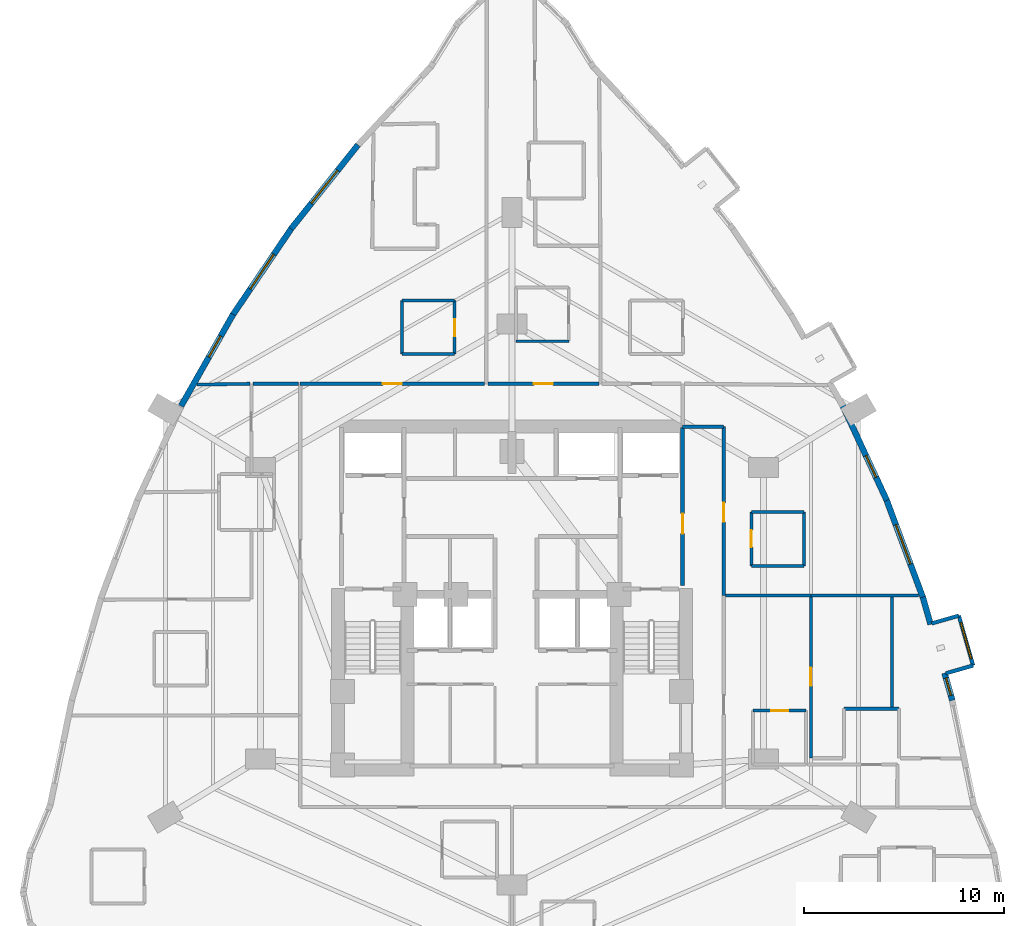
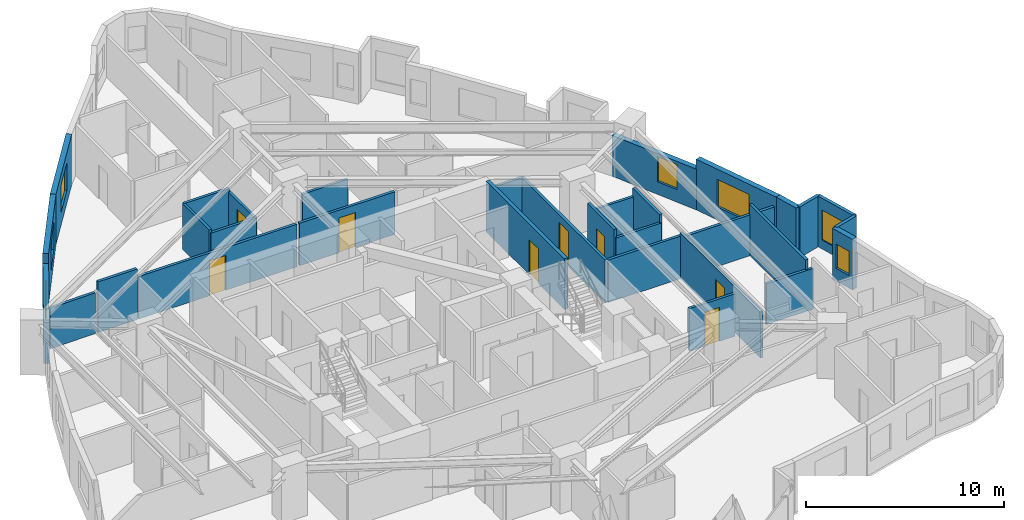
# One storey, part 10 of 13: 32 walls, 8 doors, 7 windows, 15 openings.
"""IFC4 building model written with IfcOpenShell, lengths in metres."""

from ifc_helpers import new_model, si_unit, direction, frame, frame_2d, origin, place, context, subcontext, project, spatial, rectangle, extrude, material, layer, layer_set, type_object, element, fill, save


model = new_model("IFC4")

# Units and contexts
model_context = context("Model", 3, precision=1e-05, world=origin(), true_north=direction((0.0, 1.0)))
body_context = subcontext(model_context, "Body", "Model", "MODEL_VIEW")
ifc_project = project(units=[si_unit("LENGTHUNIT", "METRE"), si_unit("AREAUNIT", "SQUARE_METRE"), si_unit("VOLUMEUNIT", "CUBIC_METRE"), si_unit("PLANEANGLEUNIT", "RADIAN"), si_unit("MASSUNIT", "GRAM", prefix="KILO")], contexts=[model_context])

# Site, building, storey
site_placement = place(None, origin())
site = spatial("IfcSite", under=ifc_project, at=site_placement, CompositionType="ELEMENT")
building_placement = place(site_placement, origin())
building = spatial("IfcBuilding", under=site, at=building_placement, Name="Miruveldt Soraemaru", CompositionType="ELEMENT")
storey_placement = place(building_placement, frame((0.0, 0.0, 59.800048828125)))
storey = spatial("IfcBuildingStorey", under=building, at=storey_placement, Name="L16", CompositionType="ELEMENT", Elevation=59.800048828125)

# Walls
ifc_material_1 = material(Name="White powder-coated aluminium EN AW-6060 T6", Category="aluminium")
ifc_layer_1 = layer(ifc_material_1, 0.18994140625, Name="White powder-coated aluminium EN AW-6060 T6", Category="aluminium")
ifc_layer_set_1 = layer_set([ifc_layer_1], Name="White powder-coated aluminium EN AW-6060 T6")
wall_type_1 = type_object("IfcWallType", Name="WALL-BAY-ALU190", PredefinedType="SOLIDWALL", material=ifc_layer_set_1)
wall_1_placement = place(storey_placement, frame((65.724365234375, 40.097900390625, 0.0), z_axis=(0.0, 0.0, 1.0), x_axis=(0.961452801096, 0.274970018845, 0.0)))
element("IfcWall", 1, at=wall_1_placement, inside=storey, type_object=wall_type_1, Name="L16 Bay Window Side Cheek 4L", PredefinedType="SOLIDWALL", context=body_context, shape_type="SweptSolid", body=[
    extrude(rectangle(XDim=1.425048828125, YDim=0.18994140625, at=frame_2d((0.71240234375, 0.0))), origin(), (0.0, 0.0, 1.0), 3.125),
])
wall_2_placement = place(storey_placement, frame((66.37939453125, 42.989501953125, 0.0), z_axis=(0.0, 0.0, 1.0), x_axis=(-0.961439844578, -0.275015318223, 0.0)))
element("IfcWall", 2, at=wall_2_placement, inside=storey, type_object=wall_type_1, Name="L16 Bay Window Side Cheek 4R", PredefinedType="SOLIDWALL", context=body_context, shape_type="SweptSolid", body=[
    extrude(rectangle(XDim=1.4248046875, YDim=0.18994140625, at=frame_2d((0.71240234375, 0.0))), origin(), (0.0, 0.0, 1.0), 3.125),
])

# Wall, opening, window
wall_3_placement = place(storey_placement, frame((67.094482421875, 40.48974609375, 0.0), z_axis=(0.0, 0.0, 1.0), x_axis=(-0.275031158597, 0.961435313373, 0.0)))
wall_3 = element("IfcWall", 3, at=wall_3_placement, inside=storey, type_object=wall_type_1, Name="L16 Bay Window Front Frame 4", PredefinedType="SOLIDWALL", context=body_context, shape_type="SweptSolid", body=[
    extrude(rectangle(XDim=2.60009765625, YDim=0.18994140625, at=frame_2d((1.300048828125, 0.0))), origin(), (0.0, 0.0, 1.0), 3.125),
])
opening_1_placement = place(wall_3_placement, frame((0.35009765625, 0.0, 0.550048828125)))
opening_1 = element("IfcOpeningElement", 4, at=opening_1_placement, cuts=wall_3, Name="Opening WN-6", PredefinedType="OPENING", context=body_context, shape_type="SweptSolid", body=[
    extrude(rectangle(XDim=1.89990234375, YDim=1.85009765625, at=frame_2d((0.949951171875, 0.925048828125))), frame((0.0, 0.10498046875, 0.0), z_axis=(0.0, -1.0, 0.0), x_axis=(1.0, 0.0, 0.0)), (0.0, 0.0, 1.0), 0.2099609375),
])
ifc_material_2 = material(Name="Triple low-e insulated glazing", Category="glass")
window_type_1 = type_object("IfcWindowType", Name="WIN-BAYW-1900x1850", PartitioningType="SINGLE_PANEL", PredefinedType="WINDOW", material=ifc_material_2)
window_1_placement = place(opening_1_placement, origin())
window_1 = element("IfcWindow", 5, at=window_1_placement, inside=storey, type_object=window_type_1, Name="L16 Projecting Bay Window 4", OverallHeight=1.85009765625, OverallWidth=1.89990234375, PartitioningType="SINGLE_PANEL", PredefinedType="WINDOW", context=body_context, shape_type="SweptSolid", body=[
    extrude(rectangle(XDim=1.89990234375, YDim=1.85009765625, at=frame_2d((0.949951171875, 0.925048828125))), frame((0.0, 0.030029296875, 0.0), z_axis=(0.0, -1.0, 0.0), x_axis=(1.0, 0.0, 0.0)), (0.0, 0.0, 1.0), 0.06005859375),
])
fill(opening_1, window_1)

ifc_material_3 = material(Name="Precast concrete C45/55 (45 MPa)", Category="concrete")
ifc_layer_2 = layer(ifc_material_3, 0.300048828125, Name="Precast concrete C45/55 (45 MPa)", Category="concrete")
ifc_layer_set_2 = layer_set([ifc_layer_2], Name="Precast concrete C45/55 (45 MPa)")
wall_type_2 = type_object("IfcWallType", Name="WALL-EXT-PC300", PredefinedType="SOLIDWALL", material=ifc_layer_set_2)
wall_4_placement = place(storey_placement, frame((36.285400390625, 66.563232421875, 0.0), z_axis=(0.0, 0.0, 1.0), x_axis=(-0.623631415275, -0.781718528553, 0.0)))
wall_4 = element("IfcWall", 6, at=wall_4_placement, inside=storey, type_object=wall_type_2, Name="L16 Precast Concrete Facade Wall 8", PredefinedType="SOLIDWALL", context=body_context, shape_type="SweptSolid", body=[
    extrude(rectangle(XDim=5.37744140625, YDim=0.300048828125, at=frame_2d((2.688720703125, 0.0))), origin(), (0.0, 0.0, 1.0), 3.125),
])
opening_2_placement = place(wall_4_placement, frame((1.637939453125, 0.0, 0.800048828125)))
opening_2 = element("IfcOpeningElement", 7, at=opening_2_placement, cuts=wall_4, Name="Opening WN-1", PredefinedType="OPENING", context=body_context, shape_type="SweptSolid", body=[
    extrude(rectangle(XDim=2.10009765625, YDim=1.699951171875, at=frame_2d((1.050048828125, 0.85009765625))), frame((0.0, 0.16015625, 0.0), z_axis=(0.0, -1.0, 0.0), x_axis=(1.0, 0.0, 0.0)), (0.0, 0.0, 1.0), 0.320068359375),
])
window_type_2 = type_object("IfcWindowType", Name="WIN-PUNCH-2100x1700", PartitioningType="SINGLE_PANEL", PredefinedType="WINDOW", material=ifc_material_2)
window_2_placement = place(opening_2_placement, origin())
window_2 = element("IfcWindow", 8, at=window_2_placement, inside=storey, type_object=window_type_2, Name="L16 Punched Triple-Glazed Window 08.1", OverallHeight=1.699951171875, OverallWidth=2.10009765625, PartitioningType="SINGLE_PANEL", PredefinedType="WINDOW", context=body_context, shape_type="SweptSolid", body=[
    extrude(rectangle(XDim=2.10009765625, YDim=1.699951171875, at=frame_2d((1.050048828125, 0.85009765625))), frame((0.0, 0.030029296875, 0.0), z_axis=(0.0, -1.0, 0.0), x_axis=(1.0, 0.0, 0.0)), (0.0, 0.0, 1.0), 0.06005859375),
])
fill(opening_2, window_2)

wall_5_placement = place(storey_placement, frame((32.973388671875, 62.416015625, 0.0), z_axis=(0.0, 0.0, 1.0), x_axis=(-0.560805458983, -0.827947605332, 0.0)))
wall_5 = element("IfcWall", 9, at=wall_5_placement, inside=storey, type_object=wall_type_2, Name="L16 Precast Concrete Facade Wall 9", PredefinedType="SOLIDWALL", context=body_context, shape_type="SweptSolid", body=[
    extrude(rectangle(XDim=5.3115234375, YDim=0.300048828125, at=frame_2d((2.65576171875, 0.0))), origin(), (0.0, 0.0, 1.0), 3.125),
])
opening_3_placement = place(wall_5_placement, frame((1.60595703125, 0.0, 0.800048828125)))
opening_3 = element("IfcOpeningElement", 10, at=opening_3_placement, cuts=wall_5, Name="Opening WN-1", PredefinedType="OPENING", context=body_context, shape_type="SweptSolid", body=[
    extrude(rectangle(XDim=2.10009765625, YDim=1.699951171875, at=frame_2d((1.050048828125, 0.85009765625))), frame((0.0, 0.16015625, 0.0), z_axis=(0.0, -1.0, 0.0), x_axis=(1.0, 0.0, 0.0)), (0.0, 0.0, 1.0), 0.320068359375),
])
window_3_placement = place(opening_3_placement, origin())
window_3 = element("IfcWindow", 11, at=window_3_placement, inside=storey, type_object=window_type_2, Name="L16 Punched Triple-Glazed Window 09.1", OverallHeight=1.699951171875, OverallWidth=2.10009765625, PartitioningType="SINGLE_PANEL", PredefinedType="WINDOW", context=body_context, shape_type="SweptSolid", body=[
    extrude(rectangle(XDim=2.10009765625, YDim=1.699951171875, at=frame_2d((1.050048828125, 0.85009765625))), frame((0.0, 0.030029296875, 0.0), z_axis=(0.0, -1.0, 0.0), x_axis=(1.0, 0.0, 0.0)), (0.0, 0.0, 1.0), 0.06005859375),
])
fill(opening_3, window_3)

wall_6_placement = place(storey_placement, frame((30.031494140625, 58.077880859375, 0.0), z_axis=(0.0, 0.0, 1.0), x_axis=(-0.493371966501, -0.869818430864, 0.0)))
wall_6 = element("IfcWall", 12, at=wall_6_placement, inside=storey, type_object=wall_type_2, Name="L16 Precast Concrete Facade Wall 10", PredefinedType="SOLIDWALL", context=body_context, shape_type="SweptSolid", body=[
    extrude(rectangle(XDim=5.278564453125, YDim=0.300048828125, at=frame_2d((2.63916015625, 0.0))), origin(), (0.0, 0.0, 1.0), 2.512939453125),
])
opening_4_placement = place(wall_6_placement, frame((1.256103515625, 0.0, 0.780029296875)))
opening_4 = element("IfcOpeningElement", 13, at=opening_4_placement, cuts=wall_6, Name="Opening WN-4", PredefinedType="OPENING", context=body_context, shape_type="SweptSolid", body=[
    extrude(rectangle(XDim=1.199951171875, YDim=1.550048828125, at=frame_2d((0.60009765625, 0.77490234375))), frame((0.0, 0.16015625, 0.0), z_axis=(0.0, -1.0, 0.0), x_axis=(1.0, 0.0, 0.0)), (0.0, 0.0, 1.0), 0.320068359375),
])
window_type_3 = type_object("IfcWindowType", Name="WIN-PUNCH-1200x1550", PartitioningType="SINGLE_PANEL", PredefinedType="WINDOW", material=ifc_material_2)
window_4_placement = place(opening_4_placement, origin())
window_4 = element("IfcWindow", 14, at=window_4_placement, inside=storey, type_object=window_type_3, Name="L16 Punched Triple-Glazed Window 10.1", OverallHeight=1.550048828125, OverallWidth=1.199951171875, PartitioningType="SINGLE_PANEL", PredefinedType="WINDOW", context=body_context, shape_type="SweptSolid", body=[
    extrude(rectangle(XDim=1.199951171875, YDim=1.550048828125, at=frame_2d((0.60009765625, 0.77490234375))), frame((0.0, 0.030029296875, 0.0), z_axis=(0.0, -1.0, 0.0), x_axis=(1.0, 0.0, 0.0)), (0.0, 0.0, 1.0), 0.06005859375),
])
fill(opening_4, window_4)

wall_7_placement = place(storey_placement, frame((66.05322265625, 38.74755859375, 0.0), z_axis=(0.0, 0.0, 1.0), x_axis=(-0.274834773231, 0.961491470281, 0.0)))
wall_7 = element("IfcWall", 15, at=wall_7_placement, inside=storey, type_object=wall_type_2, Name="L16 Precast Pier Wall 36A", PredefinedType="SOLIDWALL", context=body_context, shape_type="SweptSolid", body=[
    extrude(rectangle(XDim=1.418701171875, YDim=0.300048828125, at=frame_2d((0.70947265625, 0.0))), origin(), (0.0, 0.0, 1.0), 3.125),
])
opening_5_placement = place(wall_7_placement, frame((0.260009765625, 0.0, 0.780029296875)))
opening_5 = element("IfcOpeningElement", 16, at=opening_5_placement, cuts=wall_7, Name="Opening WN-7", PredefinedType="OPENING", context=body_context, shape_type="SweptSolid", body=[
    extrude(rectangle(XDim=0.89990234375, YDim=1.5, at=frame_2d((0.449951171875, 0.75))), frame((0.0, 0.16015625, 0.0), z_axis=(0.0, -1.0, 0.0), x_axis=(1.0, 0.0, 0.0)), (0.0, 0.0, 1.0), 0.320068359375),
])
window_type_4 = type_object("IfcWindowType", Name="WIN-PUNCH-900x1500", PartitioningType="SINGLE_PANEL", PredefinedType="WINDOW", material=ifc_material_2)
window_5_placement = place(opening_5_placement, origin())
window_5 = element("IfcWindow", 17, at=window_5_placement, inside=storey, type_object=window_type_4, Name="L16 Punched Triple-Glazed Window 36A.1", OverallHeight=1.5, OverallWidth=0.89990234375, PartitioningType="SINGLE_PANEL", PredefinedType="WINDOW", context=body_context, shape_type="SweptSolid", body=[
    extrude(rectangle(XDim=0.89990234375, YDim=1.5, at=frame_2d((0.449951171875, 0.75))), frame((0.0, 0.030029296875, 0.0), z_axis=(0.0, -1.0, 0.0), x_axis=(1.0, 0.0, 0.0)), (0.0, 0.0, 1.0), 0.06005859375),
])
fill(opening_5, window_5)

# Wall
wall_8_placement = place(storey_placement, frame((64.964599609375, 42.5537109375, 0.0), z_axis=(0.0, 0.0, 1.0), x_axis=(-0.274880256619, 0.961478468049, 0.0)))
element("IfcWall", 18, at=wall_8_placement, inside=storey, type_object=wall_type_2, Name="L16 Precast Pier Wall 36B", PredefinedType="SOLIDWALL", context=body_context, shape_type="SweptSolid", body=[
    extrude(rectangle(XDim=1.41845703125, YDim=0.300048828125, at=frame_2d((0.709228515625, 0.0))), origin(), (0.0, 0.0, 1.0), 3.125),
])

# Wall, opening, window
wall_9_placement = place(storey_placement, frame((64.596435546875, 43.85107421875, 0.0), z_axis=(0.0, 0.0, 1.0), x_axis=(-0.349006928215, 0.937120143876, 0.0)))
wall_9 = element("IfcWall", 19, at=wall_9_placement, inside=storey, type_object=wall_type_2, Name="L16 Precast Concrete Facade Wall 37", PredefinedType="SOLIDWALL", context=body_context, shape_type="SweptSolid", body=[
    extrude(rectangle(XDim=5.3115234375, YDim=0.300048828125, at=frame_2d((2.65576171875, 0.0))), origin(), (0.0, 0.0, 1.0), 3.125),
])
opening_6_placement = place(wall_9_placement, frame((1.8359375, 0.0, 0.800048828125)))
opening_6 = element("IfcOpeningElement", 20, at=opening_6_placement, cuts=wall_9, Name="Opening WN-1", PredefinedType="OPENING", context=body_context, shape_type="SweptSolid", body=[
    extrude(rectangle(XDim=2.10009765625, YDim=1.699951171875, at=frame_2d((1.050048828125, 0.85009765625))), frame((0.0, 0.16015625, 0.0), z_axis=(0.0, -1.0, 0.0), x_axis=(1.0, 0.0, 0.0)), (0.0, 0.0, 1.0), 0.320068359375),
])
window_6_placement = place(opening_6_placement, origin())
window_6 = element("IfcWindow", 21, at=window_6_placement, inside=storey, type_object=window_type_2, Name="L16 Punched Triple-Glazed Window 37.1", OverallHeight=1.699951171875, OverallWidth=2.10009765625, PartitioningType="SINGLE_PANEL", PredefinedType="WINDOW", context=body_context, shape_type="SweptSolid", body=[
    extrude(rectangle(XDim=2.10009765625, YDim=1.699951171875, at=frame_2d((1.050048828125, 0.85009765625))), frame((0.0, 0.030029296875, 0.0), z_axis=(0.0, -1.0, 0.0), x_axis=(1.0, 0.0, 0.0)), (0.0, 0.0, 1.0), 0.06005859375),
])
fill(opening_6, window_6)

wall_10_placement = place(storey_placement, frame((62.769775390625, 48.76416015625, 0.0), z_axis=(0.0, 0.0, 1.0), x_axis=(-0.422343511182, 0.906435854632, 0.0)))
wall_10 = element("IfcWall", 22, at=wall_10_placement, inside=storey, type_object=wall_type_2, Name="L16 Precast Concrete Facade Wall 38", PredefinedType="SOLIDWALL", context=body_context, shape_type="SweptSolid", body=[
    extrude(rectangle(XDim=5.2783203125, YDim=0.300048828125, at=frame_2d((2.63916015625, 0.0))), origin(), (0.0, 0.0, 1.0), 2.512939453125),
])
opening_7_placement = place(wall_10_placement, frame((1.27001953125, 0.0, 0.780029296875)))
opening_7 = element("IfcOpeningElement", 23, at=opening_7_placement, cuts=wall_10, Name="Opening WN-4", PredefinedType="OPENING", context=body_context, shape_type="SweptSolid", body=[
    extrude(rectangle(XDim=1.199951171875, YDim=1.550048828125, at=frame_2d((0.60009765625, 0.77490234375))), frame((0.0, 0.16015625, 0.0), z_axis=(0.0, -1.0, 0.0), x_axis=(1.0, 0.0, 0.0)), (0.0, 0.0, 1.0), 0.320068359375),
])
window_7_placement = place(opening_7_placement, origin())
window_7 = element("IfcWindow", 24, at=window_7_placement, inside=storey, type_object=window_type_3, Name="L16 Punched Triple-Glazed Window 38.1", OverallHeight=1.550048828125, OverallWidth=1.199951171875, PartitioningType="SINGLE_PANEL", PredefinedType="WINDOW", context=body_context, shape_type="SweptSolid", body=[
    extrude(rectangle(XDim=1.199951171875, YDim=1.550048828125, at=frame_2d((0.60009765625, 0.77490234375))), frame((0.0, 0.030029296875, 0.0), z_axis=(0.0, -1.0, 0.0), x_axis=(1.0, 0.0, 0.0)), (0.0, 0.0, 1.0), 0.06005859375),
])
fill(opening_7, window_7)

# Wall, opening, door
ifc_material_4 = material(Name="Gypsum plasterboard lining", Category="gypsum")
ifc_layer_3 = layer(ifc_material_4, 0.14990234375, Name="Gypsum plasterboard lining", Category="gypsum")
ifc_layer_set_3 = layer_set([ifc_layer_3], Name="Gypsum plasterboard lining")
wall_type_3 = type_object("IfcWallType", Name="WALL-INT-PLUMB", PredefinedType="PLUMBINGWALL", material=ifc_layer_set_3)
wall_11_placement = place(storey_placement, frame((41.1298828125, 56.080078125, 0.0), z_axis=(0.0, 0.0, 1.0), x_axis=(0.0, 1.0, 0.0)))
wall_11 = element("IfcWall", 25, at=wall_11_placement, inside=storey, type_object=wall_type_3, Name="L16 Partition Wall 12", PredefinedType="PLUMBINGWALL", context=body_context, shape_type="SweptSolid", body=[
    extrude(rectangle(XDim=2.699951171875, YDim=0.14990234375, at=frame_2d((1.35009765625, 0.0))), origin(), (0.0, 0.0, 1.0), 2.625),
])
opening_8_placement = place(wall_11_placement, frame((0.909912109375, 0.0, 0.0)))
opening_8 = element("IfcOpeningElement", 26, at=opening_8_placement, cuts=wall_11, Name="Opening FD3", PredefinedType="OPENING", context=body_context, shape_type="SweptSolid", body=[
    extrude(rectangle(XDim=0.85009765625, YDim=2.10009765625, at=frame_2d((0.425048828125, 1.050048828125))), frame((0.0, 0.0849609375, 0.0), z_axis=(0.0, -1.0, 0.0), x_axis=(1.0, 0.0, 0.0)), (0.0, 0.0, 1.0), 0.169921875),
])
ifc_material_5 = material(Name="Anodised aluminium EN AW-6063 T6", Category="aluminium")
door_type_1 = type_object("IfcDoorType", Name="DOOR-FD3-850", OperationType="NOTDEFINED", PredefinedType="DOOR", material=ifc_material_5)
door_1_placement = place(opening_8_placement, origin())
door_1 = element("IfcDoor", 27, at=door_1_placement, inside=storey, type_object=door_type_1, Name="L16 Unit 1602 BTH Door", OperationType="SINGLE_SWING_RIGHT", OverallHeight=2.10009765625, OverallWidth=0.85009765625, PredefinedType="DOOR", context=body_context, shape_type="SweptSolid", body=[
    extrude(rectangle(XDim=0.85009765625, YDim=2.10009765625, at=frame_2d((0.425048828125, 1.050048828125))), frame((0.0, 0.02490234375, 0.0), z_axis=(0.0, -1.0, 0.0), x_axis=(1.0, 0.0, 0.0)), (0.0, 0.0, 1.0), 0.050048828125),
])
fill(opening_8, door_1)

wall_12_placement = place(storey_placement, frame((55.98193359375, 48.179931640625, 0.0), z_axis=(0.0, 0.0, 1.0), x_axis=(0.0, -1.0, 0.0)))
wall_12 = element("IfcWall", 28, at=wall_12_placement, inside=storey, type_object=wall_type_3, Name="L16 Partition Wall 72", PredefinedType="PLUMBINGWALL", context=body_context, shape_type="SweptSolid", body=[
    extrude(rectangle(XDim=2.699951171875, YDim=0.14990234375, at=frame_2d((1.35009765625, 0.0))), origin(), (0.0, 0.0, 1.0), 3.125),
])
opening_9_placement = place(wall_12_placement, frame((0.909912109375, 0.0, 0.0)))
opening_9 = element("IfcOpeningElement", 29, at=opening_9_placement, cuts=wall_12, Name="Opening FD3", PredefinedType="OPENING", context=body_context, shape_type="SweptSolid", body=[
    extrude(rectangle(XDim=0.85009765625, YDim=2.10009765625, at=frame_2d((0.425048828125, 1.050048828125))), frame((0.0, 0.0849609375, 0.0), z_axis=(0.0, -1.0, 0.0), x_axis=(1.0, 0.0, 0.0)), (0.0, 0.0, 1.0), 0.169921875),
])
door_2_placement = place(opening_9_placement, origin())
door_2 = element("IfcDoor", 30, at=door_2_placement, inside=storey, type_object=door_type_1, Name="L16 Unit CL07 BTH Door", OperationType="SINGLE_SWING_LEFT", OverallHeight=2.10009765625, OverallWidth=0.85009765625, PredefinedType="DOOR", context=body_context, shape_type="SweptSolid", body=[
    extrude(rectangle(XDim=0.85009765625, YDim=2.10009765625, at=frame_2d((0.425048828125, 1.050048828125))), frame((0.0, 0.02490234375, 0.0), z_axis=(0.0, -1.0, 0.0), x_axis=(1.0, 0.0, 0.0)), (0.0, 0.0, 1.0), 0.050048828125),
])
fill(opening_9, door_2)

wall_13_placement = place(storey_placement, frame((58.72998046875, 38.22998046875, 0.0), z_axis=(0.0, 0.0, 1.0), x_axis=(-1.0, 0.0, 0.0)))
wall_13 = element("IfcWall", 31, at=wall_13_placement, inside=storey, type_object=wall_type_3, Name="L16 Partition Wall 59", PredefinedType="PLUMBINGWALL", context=body_context, shape_type="SweptSolid", body=[
    extrude(rectangle(XDim=2.64990234375, YDim=0.14990234375, at=frame_2d((1.324951171875, 0.0))), origin(), (0.0, 0.0, 1.0), 2.625),
])
opening_10_placement = place(wall_13_placement, frame((0.885009765625, 0.0, 0.0)))
opening_10 = element("IfcOpeningElement", 32, at=opening_10_placement, cuts=wall_13, Name="Opening FD3", PredefinedType="OPENING", context=body_context, shape_type="SweptSolid", body=[
    extrude(rectangle(XDim=0.85009765625, YDim=2.10009765625, at=frame_2d((0.425048828125, 1.050048828125))), frame((0.0, 0.0849609375, 0.0), z_axis=(0.0, -1.0, 0.0), x_axis=(1.0, 0.0, 0.0)), (0.0, 0.0, 1.0), 0.169921875),
])
door_3_placement = place(opening_10_placement, origin())
door_3 = element("IfcDoor", 33, at=door_3_placement, inside=storey, type_object=door_type_1, Name="L16 Unit 1606 BTH Door", OperationType="SINGLE_SWING_RIGHT", OverallHeight=2.10009765625, OverallWidth=0.85009765625, PredefinedType="DOOR", context=body_context, shape_type="SweptSolid", body=[
    extrude(rectangle(XDim=0.85009765625, YDim=2.10009765625, at=frame_2d((0.425048828125, 1.050048828125))), frame((0.0, 0.02490234375, 0.0), z_axis=(0.0, -1.0, 0.0), x_axis=(1.0, 0.0, 0.0)), (0.0, 0.0, 1.0), 0.050048828125),
])
fill(opening_10, door_3)

# Walls
wall_14_placement = place(storey_placement, frame((38.47998046875, 58.780029296875, 0.0), z_axis=(0.0, 0.0, 1.0), x_axis=(0.0, -1.0, 0.0)))
element("IfcWall", 34, at=wall_14_placement, inside=storey, type_object=wall_type_3, Name="L16 Partition Wall 14", PredefinedType="PLUMBINGWALL", context=body_context, shape_type="SweptSolid", body=[
    extrude(rectangle(XDim=2.699951171875, YDim=0.14990234375, at=frame_2d((1.35009765625, 0.0))), origin(), (0.0, 0.0, 1.0), 2.81298828125),
])
wall_15_placement = place(storey_placement, frame((58.632080078125, 45.47998046875, 0.0), z_axis=(0.0, 0.0, 1.0), x_axis=(0.0, 1.0, 0.0)))
element("IfcWall", 35, at=wall_15_placement, inside=storey, type_object=wall_type_3, Name="L16 Partition Wall 97", PredefinedType="PLUMBINGWALL", context=body_context, shape_type="SweptSolid", body=[
    extrude(rectangle(XDim=2.699951171875, YDim=0.14990234375, at=frame_2d((1.35009765625, 0.0))), origin(), (0.0, 0.0, 1.0), 3.125),
])
wall_16_placement = place(storey_placement, frame((41.1298828125, 58.780029296875, 0.0), z_axis=(0.0, 0.0, 1.0), x_axis=(-1.0, 0.0, 0.0)))
element("IfcWall", 36, at=wall_16_placement, inside=storey, type_object=wall_type_3, Name="L16 Partition Wall 13", PredefinedType="PLUMBINGWALL", context=body_context, shape_type="SweptSolid", body=[
    extrude(rectangle(XDim=2.64990234375, YDim=0.14990234375, at=frame_2d((1.324951171875, 0.0))), origin(), (0.0, 0.0, 1.0), 2.81298828125),
])
wall_17_placement = place(storey_placement, frame((38.47998046875, 56.080078125, 0.0), z_axis=(0.0, 0.0, 1.0), x_axis=(1.0, 0.0, 0.0)))
element("IfcWall", 37, at=wall_17_placement, inside=storey, type_object=wall_type_3, Name="L16 Partition Wall 15", PredefinedType="PLUMBINGWALL", context=body_context, shape_type="SweptSolid", body=[
    extrude(rectangle(XDim=2.64990234375, YDim=0.14990234375, at=frame_2d((1.324951171875, 0.0))), origin(), (0.0, 0.0, 1.0), 2.625),
])
for number, where, z_axis, x_axis, name in (
    (38, (44.19189453125, 56.72998046875, 0.0), (0.0, 0.0, 1.0), (1.0, 0.0, 0.0), "L16 Partition Wall 30"),
    (39, (55.98193359375, 45.47998046875, 0.0), (0.0, 0.0, 1.0), (1.0, 0.0, 0.0), "L16 Partition Wall 73"),
    (40, (58.632080078125, 48.179931640625, 0.0), (0.0, 0.0, 1.0), (-1.0, 0.0, 0.0), "L16 Partition Wall 98"),
):
    element("IfcWall", number, at=place(storey_placement, frame(where, z_axis=z_axis, x_axis=x_axis)), inside=storey, type_object=wall_type_3, Name=name, PredefinedType="PLUMBINGWALL", context=body_context, shape_type="SweptSolid", body=[
        extrude(rectangle(XDim=2.650146484375, YDim=0.14990234375, at=frame_2d((1.3251953125, 0.0))), origin(), (0.0, 0.0, 1.0), 2.625),
    ])

# Wall, opening, door
ifc_material_6 = material(Name="Concrete C40/50 (40 MPa)", Category="concrete")
ifc_layer_4 = layer(ifc_material_6, 0.159912109375, Name="Concrete C40/50 (40 MPa)", Category="concrete")
ifc_layer_set_4 = layer_set([ifc_layer_4], Name="Concrete C40/50 (40 MPa)")
wall_type_4 = type_object("IfcWallType", Name="WALL-INT-RC160", PredefinedType="SOLIDWALL", material=ifc_layer_set_4)
wall_18_placement = place(storey_placement, frame((42.626953125, 54.60009765625, 0.0), z_axis=(0.0, 0.0, 1.0), x_axis=(-1.0, 0.0, 0.0)))
wall_18 = element("IfcWall", 41, at=wall_18_placement, inside=storey, type_object=wall_type_4, Name="L16 Partition Wall 1", PredefinedType="SOLIDWALL", context=body_context, shape_type="SweptSolid", body=[
    extrude(rectangle(XDim=9.237060546875, YDim=0.159912109375, at=frame_2d((4.61865234375, 0.0))), origin(), (0.0, 0.0, 1.0), 2.625),
])
opening_11_placement = place(wall_18_placement, frame((4.14404296875, 0.0, 0.0)))
opening_11 = element("IfcOpeningElement", 42, at=opening_11_placement, cuts=wall_18, Name="Opening FD2", PredefinedType="OPENING", context=body_context, shape_type="SweptSolid", body=[
    extrude(rectangle(XDim=0.949951171875, YDim=2.14990234375, at=frame_2d((0.47509765625, 1.074951171875))), frame((0.0, 0.08984375, 0.0), z_axis=(0.0, -1.0, 0.0), x_axis=(1.0, 0.0, 0.0)), (0.0, 0.0, 1.0), 0.179931640625),
])
door_type_2 = type_object("IfcDoorType", Name="DOOR-FD2-950", OperationType="NOTDEFINED", PredefinedType="DOOR", material=ifc_material_5)
door_4_placement = place(opening_11_placement, origin())
door_4 = element("IfcDoor", 43, at=door_4_placement, inside=storey, type_object=door_type_2, Name="L16 Unit 1602 Entrance Fire Door", OperationType="SINGLE_SWING_LEFT", OverallHeight=2.14990234375, OverallWidth=0.949951171875, PredefinedType="DOOR", context=body_context, shape_type="SweptSolid", body=[
    extrude(rectangle(XDim=0.949951171875, YDim=2.14990234375, at=frame_2d((0.47509765625, 1.074951171875))), frame((0.0, 0.02490234375, 0.0), z_axis=(0.0, -1.0, 0.0), x_axis=(1.0, 0.0, 0.0)), (0.0, 0.0, 1.0), 0.050048828125),
])
fill(opening_11, door_4)

wall_19_placement = place(storey_placement, frame((54.60009765625, 44.0, 0.0), z_axis=(0.0, 0.0, 1.0), x_axis=(0.0, 1.0, 0.0)))
wall_19 = element("IfcWall", 44, at=wall_19_placement, inside=storey, type_object=wall_type_4, Name="L16 Partition Wall 6", PredefinedType="SOLIDWALL", context=body_context, shape_type="SweptSolid", body=[
    extrude(rectangle(XDim=8.449951171875, YDim=0.159912109375, at=frame_2d((4.22509765625, 0.0))), origin(), (0.0, 0.0, 1.0), 2.625),
])
opening_12_placement = place(wall_19_placement, frame((3.679931640625, 0.0, 0.0)))
opening_12 = element("IfcOpeningElement", 45, at=opening_12_placement, cuts=wall_19, Name="Opening FD2", PredefinedType="OPENING", context=body_context, shape_type="SweptSolid", body=[
    extrude(rectangle(XDim=0.949951171875, YDim=2.14990234375, at=frame_2d((0.47509765625, 1.074951171875))), frame((0.0, 0.08984375, 0.0), z_axis=(0.0, -1.0, 0.0), x_axis=(1.0, 0.0, 0.0)), (0.0, 0.0, 1.0), 0.179931640625),
])
door_5_placement = place(opening_12_placement, origin())
door_5 = element("IfcDoor", 46, at=door_5_placement, inside=storey, type_object=door_type_2, Name="L16 Unit CL07 Entrance Fire Door", OperationType="SINGLE_SWING_RIGHT", OverallHeight=2.14990234375, OverallWidth=0.949951171875, PredefinedType="DOOR", context=body_context, shape_type="SweptSolid", body=[
    extrude(rectangle(XDim=0.949951171875, YDim=2.14990234375, at=frame_2d((0.47509765625, 1.074951171875))), frame((0.0, 0.02490234375, 0.0), z_axis=(0.0, -1.0, 0.0), x_axis=(1.0, 0.0, 0.0)), (0.0, 0.0, 1.0), 0.050048828125),
])
fill(opening_12, door_5)

wall_20_placement = place(storey_placement, frame((58.968994140625, 35.85009765625, 0.0), z_axis=(0.0, 0.0, 1.0), x_axis=(0.0, 1.0, 0.0)))
wall_20 = element("IfcWall", 47, at=wall_20_placement, inside=storey, type_object=wall_type_4, Name="L16 Partition Wall 64", PredefinedType="SOLIDWALL", context=body_context, shape_type="SweptSolid", body=[
    extrude(rectangle(XDim=8.14990234375, YDim=0.159912109375, at=frame_2d((4.074951171875, 0.0))), origin(), (0.0, 0.0, 1.0), 2.81298828125),
])
opening_13_placement = place(wall_20_placement, frame((3.614990234375, 0.0, 0.0)))
opening_13 = element("IfcOpeningElement", 48, at=opening_13_placement, cuts=wall_20, Name="Opening D3A", PredefinedType="OPENING", context=body_context, shape_type="SweptSolid", body=[
    extrude(rectangle(XDim=0.919921875, YDim=2.10009765625, at=frame_2d((0.4599609375, 1.050048828125))), frame((0.0, 0.08984375, 0.0), z_axis=(0.0, -1.0, 0.0), x_axis=(1.0, 0.0, 0.0)), (0.0, 0.0, 1.0), 0.179931640625),
])
door_type_3 = type_object("IfcDoorType", Name="DOOR-INT-920", OperationType="NOTDEFINED", PredefinedType="DOOR", material=ifc_material_5)
door_6_placement = place(opening_13_placement, origin())
door_6 = element("IfcDoor", 49, at=door_6_placement, inside=storey, type_object=door_type_3, Name="L16 Unit 1606 BD1 Door", OperationType="SINGLE_SWING_RIGHT", OverallHeight=2.10009765625, OverallWidth=0.919921875, PredefinedType="DOOR", context=body_context, shape_type="SweptSolid", body=[
    extrude(rectangle(XDim=0.919921875, YDim=2.10009765625, at=frame_2d((0.4599609375, 1.050048828125))), frame((0.0, 0.02490234375, 0.0), z_axis=(0.0, -1.0, 0.0), x_axis=(1.0, 0.0, 0.0)), (0.0, 0.0, 1.0), 0.050048828125),
])
fill(opening_13, door_6)

wall_21_placement = place(storey_placement, frame((48.344970703125, 54.60009765625, 0.0), z_axis=(0.0, 0.0, 1.0), x_axis=(-1.0, 0.0, 0.0)))
wall_21 = element("IfcWall", 50, at=wall_21_placement, inside=storey, type_object=wall_type_4, Name="L16 Partition Wall 2", PredefinedType="SOLIDWALL", context=body_context, shape_type="SweptSolid", body=[
    extrude(rectangle(XDim=5.552978515625, YDim=0.159912109375, at=frame_2d((2.7763671875, 0.0))), origin(), (0.0, 0.0, 1.0), 2.625),
])
opening_14_placement = place(wall_21_placement, frame((2.301025390625, 0.0, 0.0)))
opening_14 = element("IfcOpeningElement", 51, at=opening_14_placement, cuts=wall_21, Name="Opening FD2", PredefinedType="OPENING", context=body_context, shape_type="SweptSolid", body=[
    extrude(rectangle(XDim=0.949951171875, YDim=2.14990234375, at=frame_2d((0.47509765625, 1.074951171875))), frame((0.0, 0.08984375, 0.0), z_axis=(0.0, -1.0, 0.0), x_axis=(1.0, 0.0, 0.0)), (0.0, 0.0, 1.0), 0.179931640625),
])
door_7_placement = place(opening_14_placement, origin())
door_7 = element("IfcDoor", 52, at=door_7_placement, inside=storey, type_object=door_type_2, Name="L16 Unit 1603 Entrance Fire Door", OperationType="SINGLE_SWING_RIGHT", OverallHeight=2.14990234375, OverallWidth=0.949951171875, PredefinedType="DOOR", context=body_context, shape_type="SweptSolid", body=[
    extrude(rectangle(XDim=0.949951171875, YDim=2.14990234375, at=frame_2d((0.47509765625, 1.074951171875))), frame((0.0, 0.02490234375, 0.0), z_axis=(0.0, -1.0, 0.0), x_axis=(1.0, 0.0, 0.0)), (0.0, 0.0, 1.0), 0.050048828125),
])
fill(opening_14, door_7)

# Walls
wall_22_placement = place(storey_placement, frame((63.02587890625, 38.330078125, 0.0), z_axis=(0.0, 0.0, 1.0), x_axis=(0.0, 1.0, 0.0)))
element("IfcWall", 53, at=wall_22_placement, inside=storey, type_object=wall_type_4, Name="L16 Partition Wall 70", PredefinedType="SOLIDWALL", context=body_context, shape_type="SweptSolid", body=[
    extrude(rectangle(XDim=5.669921875, YDim=0.159912109375, at=frame_2d((2.8349609375, 0.0))), origin(), (0.0, 0.0, 1.0), 3.125),
])
wall_23_placement = place(storey_placement, frame((64.364990234375, 44.0, 0.0), z_axis=(0.0, 0.0, 1.0), x_axis=(-1.0, 0.0, 0.0)))
element("IfcWall", 54, at=wall_23_placement, inside=storey, type_object=wall_type_4, Name="L16 Partition Wall 71", PredefinedType="SOLIDWALL", context=body_context, shape_type="SweptSolid", body=[
    extrude(rectangle(XDim=5.406005859375, YDim=0.159912109375, at=frame_2d((2.703125, 0.0))), origin(), (0.0, 0.0, 1.0), 2.512939453125),
])
wall_24_placement = place(storey_placement, frame((58.97900390625, 44.0, 0.0), z_axis=(0.0, 0.0, 1.0), x_axis=(-1.0, 0.0, 0.0)))
element("IfcWall", 55, at=wall_24_placement, inside=storey, type_object=wall_type_4, Name="L16 Partition Wall 66", PredefinedType="SOLIDWALL", context=body_context, shape_type="SweptSolid", body=[
    extrude(rectangle(XDim=4.299072265625, YDim=0.159912109375, at=frame_2d((2.1494140625, 0.0))), origin(), (0.0, 0.0, 1.0), 2.625),
])
wall_25_placement = place(storey_placement, frame((63.3798828125, 38.330078125, 0.0), z_axis=(0.0, 0.0, 1.0), x_axis=(-1.0, 0.0, 0.0)))
element("IfcWall", 56, at=wall_25_placement, inside=storey, type_object=wall_type_4, Name="L16 Partition Wall 96", PredefinedType="SOLIDWALL", context=body_context, shape_type="SweptSolid", body=[
    extrude(rectangle(XDim=2.75, YDim=0.159912109375, at=frame_2d((1.375, 0.0))), origin(), (0.0, 0.0, 1.0), 2.512939453125),
])
wall_26_placement = place(storey_placement, frame((28.22509765625, 54.55810546875, 0.0), z_axis=(0.0, 0.0, 1.0), x_axis=(0.999879792216, 0.015504874016, 0.0)))
element("IfcWall", 57, at=wall_26_placement, inside=storey, type_object=wall_type_4, Name="L16 Partition Wall 26", PredefinedType="SOLIDWALL", context=body_context, shape_type="SweptSolid", body=[
    extrude(rectangle(XDim=2.645263671875, YDim=0.159912109375, at=frame_2d((1.32275390625, 0.0))), origin(), (0.0, 0.0, 1.0), 2.512939453125),
])
wall_27_placement = place(storey_placement, frame((31.030029296875, 54.60009765625, 0.0), z_axis=(0.0, 0.0, 1.0), x_axis=(1.0, 0.0, 0.0)))
element("IfcWall", 58, at=wall_27_placement, inside=storey, type_object=wall_type_4, Name="L16 Partition Wall 25", PredefinedType="SOLIDWALL", context=body_context, shape_type="SweptSolid", body=[
    extrude(rectangle(XDim=2.2900390625, YDim=0.159912109375, at=frame_2d((1.14501953125, 0.0))), origin(), (0.0, 0.0, 1.0), 3.125),
])
wall_28_placement = place(storey_placement, frame((54.60009765625, 52.449951171875, 0.0), z_axis=(0.0, 0.0, 1.0), x_axis=(-1.0, 0.0, 0.0)))
element("IfcWall", 59, at=wall_28_placement, inside=storey, type_object=wall_type_4, Name="L16 Partition Wall 7", PredefinedType="SOLIDWALL", context=body_context, shape_type="SweptSolid", body=[
    extrude(rectangle(XDim=2.050048828125, YDim=0.159912109375, at=frame_2d((1.02490234375, 0.0))), origin(), (0.0, 0.0, 1.0), 2.625),
])

# Wall, opening, door
ifc_layer_5 = layer(ifc_material_6, 0.199951171875, Name="Concrete C40/50 (40 MPa)", Category="concrete")
ifc_layer_set_5 = layer_set([ifc_layer_5], Name="Concrete C40/50 (40 MPa)")
wall_type_5 = type_object("IfcWallType", Name="WALL-INT-RC200", PredefinedType="SOLIDWALL", material=ifc_layer_set_5)
wall_29_placement = place(storey_placement, frame((52.550048828125, 44.5, 0.0), z_axis=(0.0, 0.0, 1.0), x_axis=(0.0, 1.0, 0.0)))
wall_29 = element("IfcWall", 60, at=wall_29_placement, inside=storey, type_object=wall_type_5, Name="L16 Core Compartment Wall FFE-OUT", PredefinedType="SOLIDWALL", context=body_context, shape_type="SweptSolid", body=[
    extrude(rectangle(XDim=7.919921875, YDim=0.199951171875, at=frame_2d((3.9599609375, 0.0))), origin(), (0.0, 0.0, 1.0), 3.125),
])
opening_15_placement = place(wall_29_placement, frame((2.60009765625, 0.0, 0.0)))
opening_15 = element("IfcOpeningElement", 61, at=opening_15_placement, cuts=wall_29, Name="Opening FD1", PredefinedType="OPENING", context=body_context, shape_type="SweptSolid", body=[
    extrude(rectangle(XDim=1.0, YDim=2.14990234375, at=frame_2d((0.5, 1.074951171875))), frame((0.0, 0.10986328125, 0.0), z_axis=(0.0, -1.0, 0.0), x_axis=(1.0, 0.0, 0.0)), (0.0, 0.0, 1.0), 0.219970703125),
])
door_type_4 = type_object("IfcDoorType", Name="DOOR-FD1-1000", OperationType="NOTDEFINED", PredefinedType="DOOR", material=ifc_material_5)
door_8_placement = place(opening_15_placement, frame((1.0, 0.0, 0.0), z_axis=(0.0, 0.0, 1.0), x_axis=(-1.0, 0.0, 0.0)))
door_8 = element("IfcDoor", 62, at=door_8_placement, inside=storey, type_object=door_type_4, Name="L16 East Firefighting Lobby Exit Door", OperationType="SINGLE_SWING_RIGHT", OverallHeight=2.14990234375, OverallWidth=1.0, PredefinedType="DOOR", context=body_context, shape_type="SweptSolid", body=[
    extrude(rectangle(XDim=1.0, YDim=2.14990234375, at=frame_2d((0.5, 1.074951171875))), frame((0.0, 0.02490234375, 0.0), z_axis=(0.0, -1.0, 0.0), x_axis=(1.0, 0.0, 0.0)), (0.0, 0.0, 1.0), 0.050048828125),
])
fill(opening_15, door_8)

save(model, "model.ifc")
